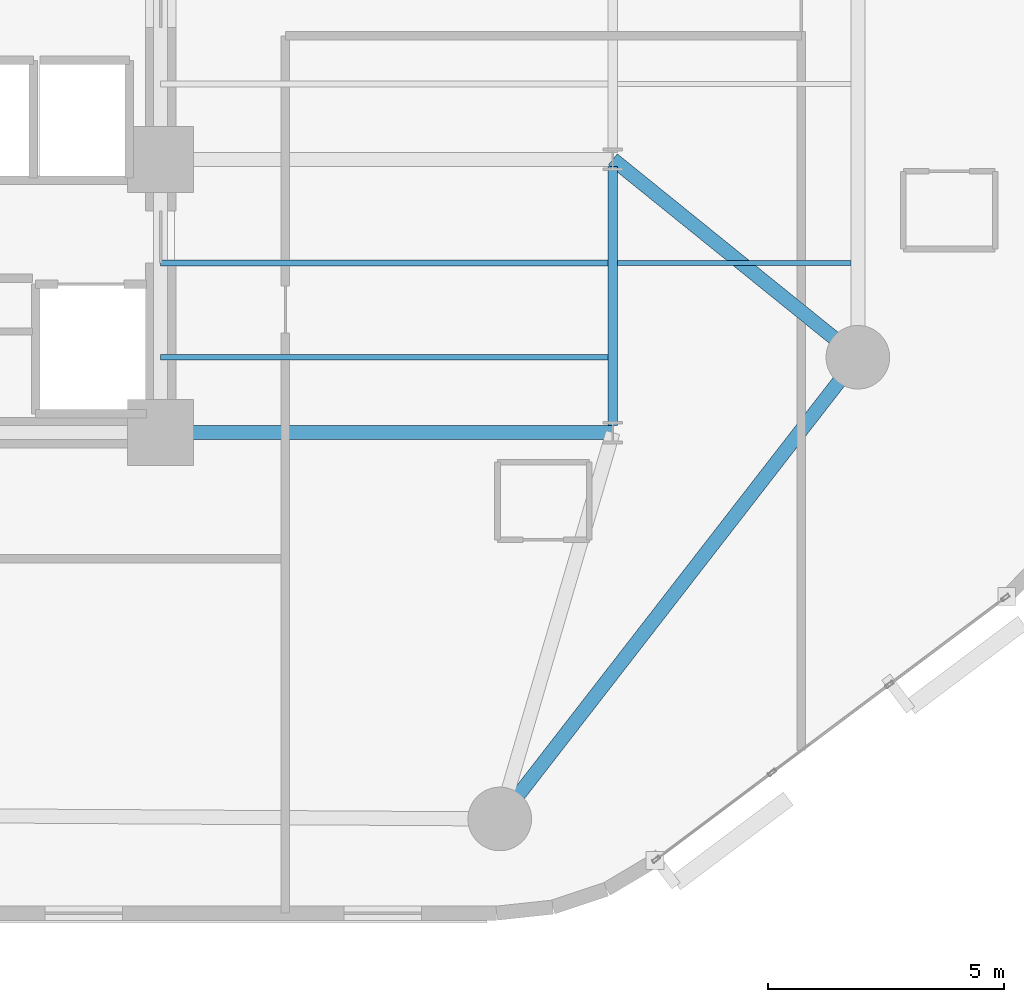
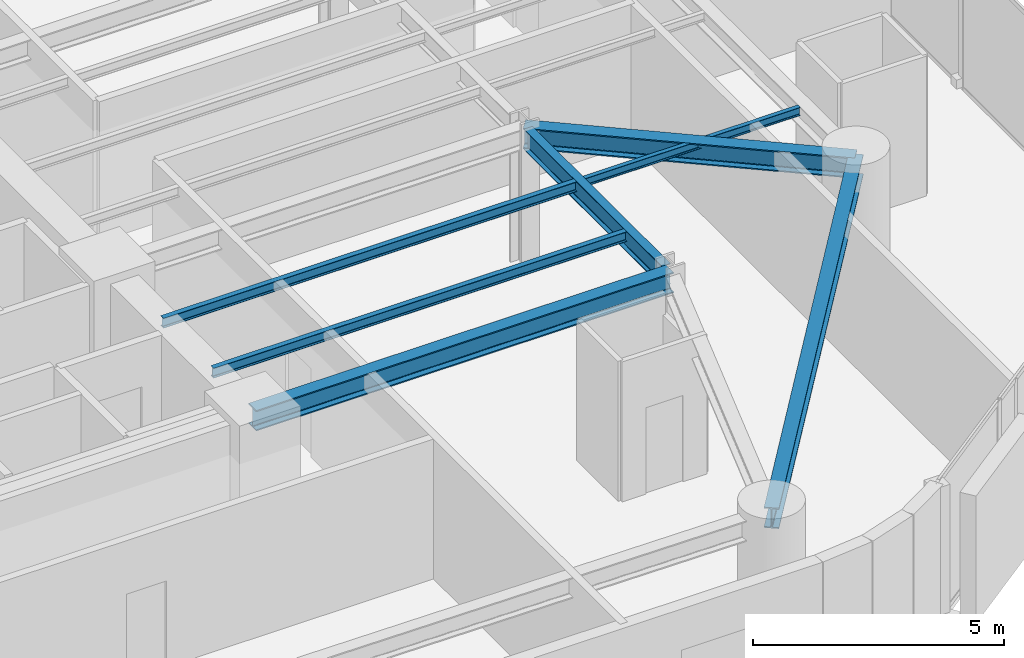
# One storey, part 3 of 16: 7 beams.
"""IFC4 building model written with IfcOpenShell, lengths in metres."""

from ifc_helpers import new_model, si_unit, direction, frame, origin, origin_2d, place, context, subcontext, project, spatial, i_section, extrude, material, material_profile, profile_set, type_object, element, save


model = new_model("IFC4")

# Units and contexts
model_context = context("Model", 3, precision=1e-05, world=origin(), true_north=direction((0.0, 1.0)))
body_context = subcontext(model_context, "Body", "Model", "MODEL_VIEW")
ifc_project = project(units=[si_unit("LENGTHUNIT", "METRE"), si_unit("AREAUNIT", "SQUARE_METRE"), si_unit("VOLUMEUNIT", "CUBIC_METRE"), si_unit("PLANEANGLEUNIT", "RADIAN"), si_unit("MASSUNIT", "GRAM", prefix="KILO")], contexts=[model_context])

# Site, building, storey
site_placement = place(None, origin())
site = spatial("IfcSite", under=ifc_project, at=site_placement, CompositionType="ELEMENT")
building_placement = place(site_placement, origin())
building = spatial("IfcBuilding", under=site, at=building_placement, Name="An Khanh Terracotta Commons", CompositionType="ELEMENT")
storey_placement = place(building_placement, frame((0.0, 0.0, 100.699951171875)))
storey = spatial("IfcBuildingStorey", under=building, at=storey_placement, Name="L26", CompositionType="ELEMENT", Elevation=100.699951171875)

# Beams
ifc_material = material(Name="Steel S355J2", Category="steel")
ifc_material_profile_1 = material_profile(ifc_material, i_section(OverallWidth=0.300048828125, OverallDepth=0.5, WebThickness=0.014404296875, FlangeThickness=0.028076171875, FilletRadius=0.027099609375, at=origin_2d()), Name="HEB500")
ifc_profile_set_1 = profile_set([ifc_material_profile_1], Name="Steel S355J2")
beam_type_1 = type_object("IfcBeamType", Name="BM-HEB500", PredefinedType="BEAM", material=ifc_profile_set_1)
beam_1_placement = place(storey_placement, frame((44.39990234375, 6.199951171875, 3.150146484375), z_axis=(0.612826529795, 0.790217466511, 0.0), x_axis=(-0.790217466511, 0.612826529795, 0.0)))
element("IfcBeam", 1, at=beam_1_placement, inside=storey, type_object=beam_type_1, Name="L26 Perimeter Ring Spandrel 2", PredefinedType="BEAM", context=body_context, shape_type="SweptSolid", body=[
    extrude(i_section(OverallWidth=0.300048828125, OverallDepth=0.5, WebThickness=0.014404296875, FlangeThickness=0.028076171875, FilletRadius=0.027099609375, at=origin_2d()), origin(), (0.0, 0.0, 1.0), 12.401611328125),
])
beam_2_placement = place(storey_placement, frame((37.199951171875, 14.39990234375, 3.150146484375), z_axis=(1.0, 0.0, 0.0), x_axis=(0.0, 1.0, 0.0)))
element("IfcBeam", 2, at=beam_2_placement, inside=storey, type_object=beam_type_1, Name="L26 East Primary Floor Girder 1", PredefinedType="BEAM", context=body_context, shape_type="SweptSolid", body=[
    extrude(i_section(OverallWidth=0.300048828125, OverallDepth=0.5, WebThickness=0.014404296875, FlangeThickness=0.028076171875, FilletRadius=0.027099609375, at=origin_2d()), origin(), (0.0, 0.0, 1.0), 9.60009765625),
])
beam_3_placement = place(storey_placement, frame((52.0, 16.0, 3.150146484375), z_axis=(-0.777941866883, 0.628336256913, 0.0), x_axis=(-0.628336256913, -0.777941866883, 0.0)))
element("IfcBeam", 3, at=beam_3_placement, inside=storey, type_object=beam_type_1, Name="L26 Mega-Column Tie Girder 3", PredefinedType="BEAM", context=body_context, shape_type="SweptSolid", body=[
    extrude(i_section(OverallWidth=0.300048828125, OverallDepth=0.5, WebThickness=0.014404296875, FlangeThickness=0.028076171875, FilletRadius=0.027099609375, at=origin_2d()), origin(), (0.0, 0.0, 1.0), 6.684326171875),
])
ifc_material_profile_2 = material_profile(ifc_material, i_section(OverallWidth=0.10009765625, OverallDepth=0.199951171875, WebThickness=0.005615234375, FlangeThickness=0.008544921875, FilletRadius=0.011962890625, at=origin_2d()), Name="IPE200")
ifc_profile_set_2 = profile_set([ifc_material_profile_2], Name="Steel S355J2")
beam_type_2 = type_object("IfcBeamType", Name="BM-IPE200", PredefinedType="JOIST", material=ifc_profile_set_2)
beam_4_placement = place(storey_placement, frame((46.89990234375, 18.0, 3.300048828125), z_axis=(1.0, 0.0, 0.0), x_axis=(0.0, 1.0, 0.0)))
element("IfcBeam", 4, at=beam_4_placement, inside=storey, type_object=beam_type_2, Name="L26 Riverfront Composite Joist 2", PredefinedType="JOIST", context=body_context, shape_type="SweptSolid", body=[
    extrude(i_section(OverallWidth=0.10009765625, OverallDepth=0.199951171875, WebThickness=0.005615234375, FlangeThickness=0.008544921875, FilletRadius=0.011962890625, at=origin_2d()), origin(), (0.0, 0.0, 1.0), 4.9501953125),
])
ifc_material_profile_3 = material_profile(ifc_material, i_section(OverallWidth=0.1201171875, OverallDepth=0.239990234375, WebThickness=0.006103515625, FlangeThickness=0.009765625, FilletRadius=0.014892578125, at=origin_2d()), Name="IPE240")
ifc_profile_set_3 = profile_set([ifc_material_profile_3], Name="Steel S355J2")
beam_type_3 = type_object("IfcBeamType", Name="BM-IPE240", PredefinedType="JOIST", material=ifc_profile_set_3)
for number, where, z_axis, x_axis, name in (
    (5, (37.199951171875, 16.0, 3.280029296875), (1.0, 0.0, 0.0), (0.0, 1.0, 0.0), "L26 Inboard Composite Joist 1"),
    (6, (37.199951171875, 18.0, 3.280029296875), (1.0, 0.0, 0.0), (0.0, 1.0, 0.0), "L26 Inboard Composite Joist 2"),
):
    element("IfcBeam", number, at=place(storey_placement, frame(where, z_axis=z_axis, x_axis=x_axis)), inside=storey, type_object=beam_type_3, Name=name, PredefinedType="JOIST", context=body_context, shape_type="SweptSolid", body=[
        extrude(i_section(OverallWidth=0.1201171875, OverallDepth=0.239990234375, WebThickness=0.006103515625, FlangeThickness=0.009765625, FilletRadius=0.014892578125, at=origin_2d()), origin(), (0.0, 0.0, 1.0), 9.5),
    ])
ifc_material_profile_4 = material_profile(ifc_material, i_section(OverallWidth=0.199951171875, OverallDepth=0.5, WebThickness=0.01025390625, FlangeThickness=0.01611328125, FilletRadius=0.02099609375, at=origin_2d()), Name="IPE500")
ifc_profile_set_4 = profile_set([ifc_material_profile_4], Name="Steel S355J2")
beam_type_4 = type_object("IfcBeamType", Name="BM-IPE500", PredefinedType="BEAM", material=ifc_profile_set_4)
beam_5_placement = place(storey_placement, frame((46.800048828125, 14.550048828125, 3.150146484375), z_axis=(0.0, 1.0, 0.0), x_axis=(-1.0, 0.0, 0.0)))
element("IfcBeam", 7, at=beam_5_placement, inside=storey, type_object=beam_type_4, Name="L26 East Spine Girder 1", PredefinedType="BEAM", context=body_context, shape_type="SweptSolid", body=[
    extrude(i_section(OverallWidth=0.199951171875, OverallDepth=0.5, WebThickness=0.01025390625, FlangeThickness=0.01611328125, FilletRadius=0.02099609375, at=origin_2d()), origin(), (0.0, 0.0, 1.0), 5.5),
])

save(model, "model.ifc")
